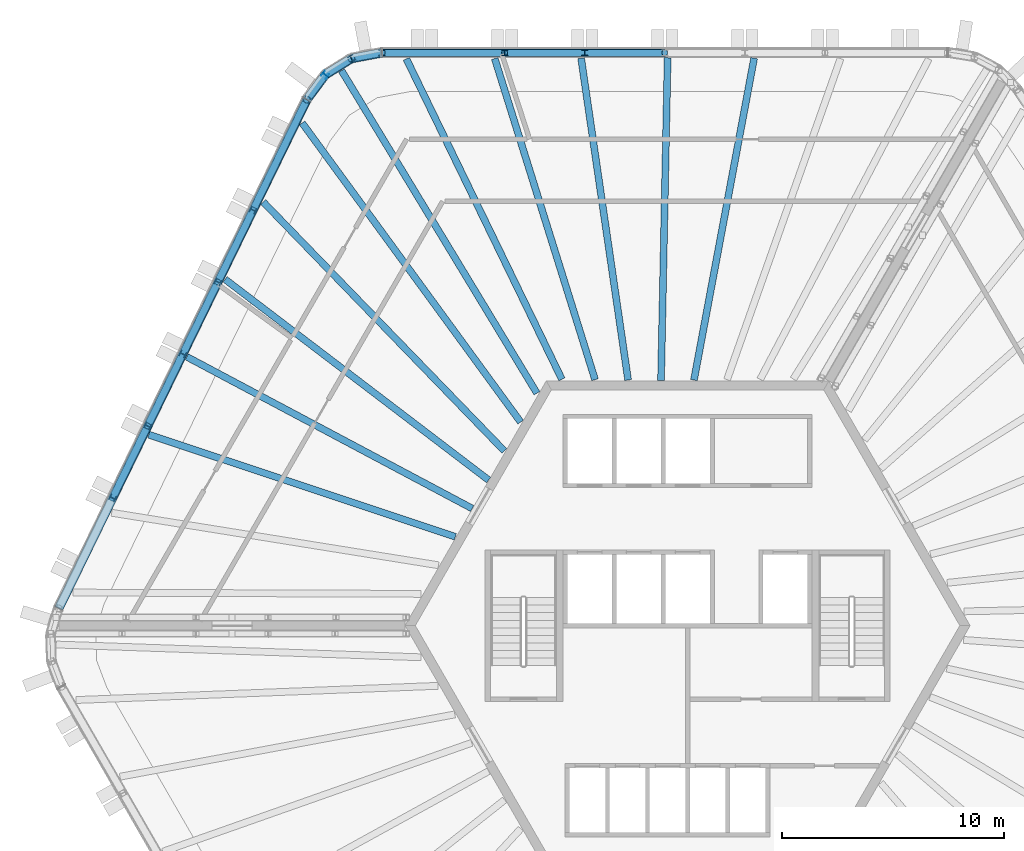
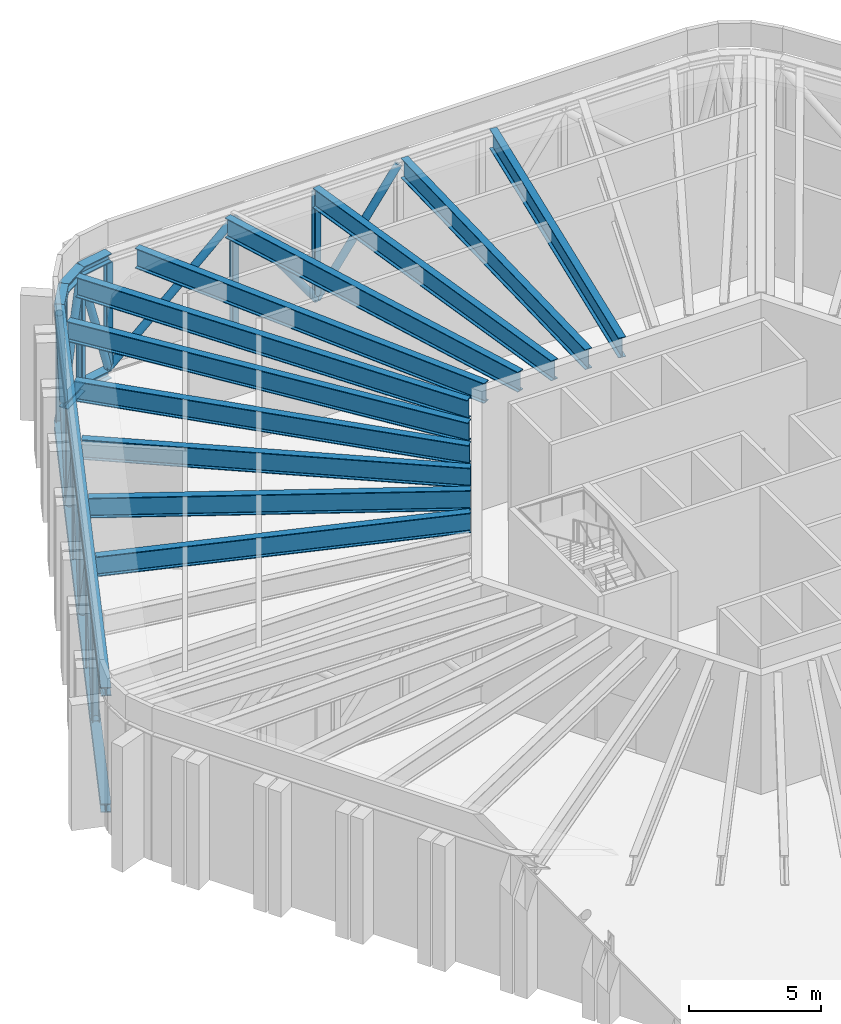
# One storey, part 6 of 19: 30 members, 11 beams.
"""IFC4 building model written with IfcOpenShell, lengths in metres."""

from ifc_helpers import new_model, si_unit, direction, frame, origin, origin_2d, place, context, subcontext, project, spatial, hollow_circle, i_section, extrude, material, material_profile, profile_set, type_object, element, save


model = new_model("IFC4")

# Units and contexts
model_context = context("Model", 3, precision=1e-05, world=origin(), true_north=direction((0.0, 1.0)))
body_context = subcontext(model_context, "Body", "Model", "MODEL_VIEW")
ifc_project = project(units=[si_unit("LENGTHUNIT", "METRE"), si_unit("AREAUNIT", "SQUARE_METRE"), si_unit("VOLUMEUNIT", "CUBIC_METRE"), si_unit("PLANEANGLEUNIT", "RADIAN"), si_unit("MASSUNIT", "GRAM", prefix="KILO")], contexts=[model_context])

# Site, building, storey
site_placement = place(None, origin())
site = spatial("IfcSite", under=ifc_project, at=site_placement, CompositionType="ELEMENT")
building_placement = place(site_placement, origin())
building = spatial("IfcBuilding", under=site, at=building_placement, Name="Tarnside Tower", CompositionType="ELEMENT")
storey_placement = place(building_placement, frame((0.0, 0.0, 343.5)))
storey = spatial("IfcBuildingStorey", under=building, at=storey_placement, Name="L83", CompositionType="ELEMENT", Elevation=343.5)

# Beams
ifc_material = material(Name="Steel S355", Category="steel")
ifc_material_profile_1 = material_profile(ifc_material, i_section(OverallWidth=0.3076171875, OverallDepth=0.926513671875, WebThickness=0.01953125, FlangeThickness=0.031982421875, FilletRadius=0.01904296875, at=origin_2d()), Name="UB 914x305x289")
ifc_profile_set_1 = profile_set([ifc_material_profile_1], Name="Steel S355")
beam_type = type_object("IfcBeamType", Name="Floor beam UB 914x305x289", PredefinedType="BEAM", material=ifc_profile_set_1)
beam_1_placement = place(storey_placement, frame((2.992431640625, 25.50927734375, 5.03662109375), z_axis=(-0.183696694797, -0.982982972549, 0.0), x_axis=(0.982982972549, -0.183696694797, 0.0)))
element("IfcBeam", 1, at=beam_1_placement, inside=storey, type_object=beam_type, Name="Floor beam F1.03", PredefinedType="BEAM", context=body_context, shape_type="SweptSolid", body=[
    extrude(i_section(OverallWidth=0.3076171875, OverallDepth=0.926513671875, WebThickness=0.01953125, FlangeThickness=0.031982421875, FilletRadius=0.01904296875, at=origin_2d()), origin(), (0.0, 0.0, 1.0), 14.720458984375),
])
beam_2_placement = place(storey_placement, frame((-0.895751953125, 25.528564453125, 5.03662109375), z_axis=(-0.020440980354, -0.999791061333, 0.0), x_axis=(0.999791061333, -0.020440980354, 0.0)))
element("IfcBeam", 2, at=beam_2_placement, inside=storey, type_object=beam_type, Name="Floor beam F1.04", PredefinedType="BEAM", context=body_context, shape_type="SweptSolid", body=[
    extrude(i_section(OverallWidth=0.3076171875, OverallDepth=0.926513671875, WebThickness=0.01953125, FlangeThickness=0.031982421875, FilletRadius=0.01904296875, at=origin_2d()), origin(), (0.0, 0.0, 1.0), 14.511474609375),
])
beam_3_placement = place(storey_placement, frame((-4.784912109375, 25.5087890625, 5.03662109375), z_axis=(0.144471056056, -0.989509026721, 0.0), x_axis=(0.989509026721, 0.144471056056, 0.0)))
element("IfcBeam", 3, at=beam_3_placement, inside=storey, type_object=beam_type, Name="Floor beam F1.05", PredefinedType="BEAM", context=body_context, shape_type="SweptSolid", body=[
    extrude(i_section(OverallWidth=0.3076171875, OverallDepth=0.926513671875, WebThickness=0.01953125, FlangeThickness=0.031982421875, FilletRadius=0.01904296875, at=origin_2d()), origin(), (0.0, 0.0, 1.0), 14.62255859375),
])
beam_4_placement = place(storey_placement, frame((-8.667724609375, 25.4912109375, 5.03662109375), z_axis=(0.298211562169, -0.954499797899, 0.0), x_axis=(0.954499797899, 0.298211562169, 0.0)))
element("IfcBeam", 4, at=beam_4_placement, inside=storey, type_object=beam_type, Name="Floor beam F1.06", PredefinedType="BEAM", context=body_context, shape_type="SweptSolid", body=[
    extrude(i_section(OverallWidth=0.3076171875, OverallDepth=0.926513671875, WebThickness=0.01953125, FlangeThickness=0.031982421875, FilletRadius=0.01904296875, at=origin_2d()), origin(), (0.0, 0.0, 1.0), 15.121826171875),
])
beam_5_placement = place(storey_placement, frame((-12.640380859375, 25.4765625, 5.03662109375), z_axis=(0.436649447023, -0.899631735998, 0.0), x_axis=(0.899631735998, 0.436649447023, 0.0)))
element("IfcBeam", 5, at=beam_5_placement, inside=storey, type_object=beam_type, Name="Floor beam F1.07", PredefinedType="BEAM", context=body_context, shape_type="SweptSolid", body=[
    extrude(i_section(OverallWidth=0.3076171875, OverallDepth=0.926513671875, WebThickness=0.01953125, FlangeThickness=0.031982421875, FilletRadius=0.01904296875, at=origin_2d()), origin(), (0.0, 0.0, 1.0), 16.01171875),
])
beam_6_placement = place(storey_placement, frame((-15.557861328125, 24.952880859375, 5.03662109375), z_axis=(0.518117614381, -0.855309381258, 0.0), x_axis=(0.855309381258, 0.518117614381, 0.0)))
element("IfcBeam", 6, at=beam_6_placement, inside=storey, type_object=beam_type, Name="Floor beam C1", PredefinedType="BEAM", context=body_context, shape_type="SweptSolid", body=[
    extrude(i_section(OverallWidth=0.3076171875, OverallDepth=0.926513671875, WebThickness=0.01953125, FlangeThickness=0.031982421875, FilletRadius=0.01904296875, at=origin_2d()), origin(), (0.0, 0.0, 1.0), 16.959228515625),
])
beam_7_placement = place(storey_placement, frame((-17.32568359375, 22.59619140625, 5.03662109375), z_axis=(0.589872111324, -0.807496682521, 0.0), x_axis=(0.807496682521, 0.589872111324, 0.0)))
element("IfcBeam", 7, at=beam_7_placement, inside=storey, type_object=beam_type, Name="Floor beam F2.01", PredefinedType="BEAM", context=body_context, shape_type="SweptSolid", body=[
    extrude(i_section(OverallWidth=0.3076171875, OverallDepth=0.926513671875, WebThickness=0.01953125, FlangeThickness=0.031982421875, FilletRadius=0.01904296875, at=origin_2d()), origin(), (0.0, 0.0, 1.0), 16.651611328125),
])
beam_8_placement = place(storey_placement, frame((-19.07470703125, 19.04248046875, 5.03662109375), z_axis=(0.69577374248, -0.718261024472, 0.0), x_axis=(0.718261024472, 0.69577374248, 0.0)))
element("IfcBeam", 8, at=beam_8_placement, inside=storey, type_object=beam_type, Name="Floor beam F2.02", PredefinedType="BEAM", context=body_context, shape_type="SweptSolid", body=[
    extrude(i_section(OverallWidth=0.3076171875, OverallDepth=0.926513671875, WebThickness=0.01953125, FlangeThickness=0.031982421875, FilletRadius=0.01904296875, at=origin_2d()), origin(), (0.0, 0.0, 1.0), 15.57958984375),
])
beam_9_placement = place(storey_placement, frame((-20.789306640625, 15.56689453125, 5.03662109375), z_axis=(0.795485169363, -0.605973056598, 0.0), x_axis=(0.605973056598, 0.795485169363, 0.0)))
element("IfcBeam", 9, at=beam_9_placement, inside=storey, type_object=beam_type, Name="Floor beam F2.03", PredefinedType="BEAM", context=body_context, shape_type="SweptSolid", body=[
    extrude(i_section(OverallWidth=0.3076171875, OverallDepth=0.926513671875, WebThickness=0.01953125, FlangeThickness=0.031982421875, FilletRadius=0.01904296875, at=origin_2d()), origin(), (0.0, 0.0, 1.0), 14.888427734375),
])
beam_10_placement = place(storey_placement, frame((-22.509765625, 12.0830078125, 5.03662109375), z_axis=(0.883015587277, -0.469343661538, 0.0), x_axis=(0.469343661538, 0.883015587277, 0.0)))
element("IfcBeam", 10, at=beam_10_placement, inside=storey, type_object=beam_type, Name="Floor beam F2.04", PredefinedType="BEAM", context=body_context, shape_type="SweptSolid", body=[
    extrude(i_section(OverallWidth=0.3076171875, OverallDepth=0.926513671875, WebThickness=0.01953125, FlangeThickness=0.031982421875, FilletRadius=0.01904296875, at=origin_2d()), origin(), (0.0, 0.0, 1.0), 14.5244140625),
])
beam_11_placement = place(storey_placement, frame((-24.217041015625, 8.583251953125, 5.03662109375), z_axis=(0.948713558919, -0.316136968928, 0.0), x_axis=(0.316136968928, 0.948713558919, 0.0)))
element("IfcBeam", 11, at=beam_11_placement, inside=storey, type_object=beam_type, Name="Floor beam F2.05", PredefinedType="BEAM", context=body_context, shape_type="SweptSolid", body=[
    extrude(i_section(OverallWidth=0.3076171875, OverallDepth=0.926513671875, WebThickness=0.01953125, FlangeThickness=0.031982421875, FilletRadius=0.01904296875, at=origin_2d()), origin(), (0.0, 0.0, 1.0), 14.52001953125),
])

# Members
ifc_material_profile_2 = material_profile(ifc_material, i_section(OverallWidth=0.39892578125, OverallDepth=0.3935546875, WebThickness=0.022705078125, FlangeThickness=0.03662109375, FilletRadius=0.01513671875, at=origin_2d()), Name="UC 356x406x287")
ifc_profile_set_2 = profile_set([ifc_material_profile_2], Name="Steel S355")
member_type_1 = type_object("IfcMemberType", Name="Truss chord UC 356x406x287", PredefinedType="CHORD", material=ifc_profile_set_2)
for number, where, z_axis, x_axis, name in (
    (12, (-13.7470703125, 25.75, -0.103271484375), (-0.98270454954, -0.185180366977, 0.0), (0.185180366977, -0.98270454954, 0.0), "Belt truss bottom chord L83 corner1.1"),
    (13, (-15.111328125, 25.492919921875, -0.103271484375), (-0.848057581592, -0.52990408406, 0.0), (0.52990408406, -0.848057581592, 0.0), "Belt truss bottom chord L83 corner1.2"),
    (14, (-16.28857421875, 24.75732421875, -0.103271484375), (-0.597210785942, -0.802084332945, 0.0), (0.802084332945, -0.597210785942, 0.0), "Belt truss bottom chord L83 corner1.3"),
):
    element("IfcMember", number, at=place(storey_placement, frame(where, z_axis=z_axis, x_axis=x_axis)), inside=storey, type_object=member_type_1, Name=name, PredefinedType="CHORD", context=body_context, shape_type="SweptSolid", body=[
        extrude(i_section(OverallWidth=0.39892578125, OverallDepth=0.3935546875, WebThickness=0.022705078125, FlangeThickness=0.03662109375, FilletRadius=0.01513671875, at=origin_2d()), origin(), (0.0, 0.0, 1.0), 1.38818359375),
    ])
member_1_placement = place(storey_placement, frame((-17.11767578125, 23.643798828125, -0.103271484375), z_axis=(-0.438368241894, -0.898795463106, 0.0), x_axis=(0.898795463106, -0.438368241894, 0.0)))
element("IfcMember", 15, at=member_1_placement, inside=storey, type_object=member_type_1, Name="Belt truss bottom chord L83 run", PredefinedType="CHORD", context=body_context, shape_type="SweptSolid", body=[
    extrude(i_section(OverallWidth=0.39892578125, OverallDepth=0.3935546875, WebThickness=0.022705078125, FlangeThickness=0.03662109375, FilletRadius=0.01513671875, at=origin_2d()), origin(), (0.0, 0.0, 1.0), 25.444580078125),
])
ifc_material_profile_3 = material_profile(ifc_material, i_section(OverallWidth=0.403076171875, OverallDepth=0.406494140625, WebThickness=0.026611328125, FlangeThickness=0.04296875, FilletRadius=0.01513671875, at=origin_2d()), Name="UC 356x406x340")
ifc_profile_set_3 = profile_set([ifc_material_profile_3], Name="Steel S355")
member_type_2 = type_object("IfcMemberType", Name="Truss chord UC 356x406x340", PredefinedType="CHORD", material=ifc_profile_set_3)
for number, where, z_axis, x_axis, name in (
    (16, (-13.7470703125, 25.75, 5.296875), (-0.98270454954, -0.185180366977, 0.0), (0.185180366977, -0.98270454954, 0.0), "Belt truss top chord L83 corner1.1"),
    (17, (-15.111328125, 25.492919921875, 5.296875), (-0.848057581592, -0.52990408406, 0.0), (0.52990408406, -0.848057581592, 0.0), "Belt truss top chord L83 corner1.2"),
    (18, (-16.28857421875, 24.75732421875, 5.296875), (-0.597210785942, -0.802084332945, 0.0), (0.802084332945, -0.597210785942, 0.0), "Belt truss top chord L83 corner1.3"),
):
    element("IfcMember", number, at=place(storey_placement, frame(where, z_axis=z_axis, x_axis=x_axis)), inside=storey, type_object=member_type_2, Name=name, PredefinedType="CHORD", context=body_context, shape_type="SweptSolid", body=[
        extrude(i_section(OverallWidth=0.403076171875, OverallDepth=0.406494140625, WebThickness=0.026611328125, FlangeThickness=0.04296875, FilletRadius=0.01513671875, at=origin_2d()), origin(), (0.0, 0.0, 1.0), 1.38818359375),
    ])
member_2_placement = place(storey_placement, frame((-17.11767578125, 23.643798828125, 5.296875), z_axis=(-0.438368241894, -0.898795463106, 0.0), x_axis=(0.898795463106, -0.438368241894, 0.0)))
element("IfcMember", 19, at=member_2_placement, inside=storey, type_object=member_type_2, Name="Belt truss top chord L83 run", PredefinedType="CHORD", context=body_context, shape_type="SweptSolid", body=[
    extrude(i_section(OverallWidth=0.403076171875, OverallDepth=0.406494140625, WebThickness=0.026611328125, FlangeThickness=0.04296875, FilletRadius=0.01513671875, at=origin_2d()), origin(), (0.0, 0.0, 1.0), 25.444580078125),
])
ifc_material_profile_4 = material_profile(ifc_material, hollow_circle(Radius=0.161865234375, WallThickness=0.012451171875, at=origin_2d()), Name="CHS 323.9x12.5")
ifc_profile_set_4 = profile_set([ifc_material_profile_4], Name="Steel S355")
member_type_3 = type_object("IfcMemberType", Name="Truss diagonal CHS 323.9x12.5", PredefinedType="BRACE", material=ifc_profile_set_4)
for number, where, z_axis, x_axis, name in (
    (20, (-1.02490234375, 25.75, 5.093505859375), (-0.584289067313, 0.0, -0.811545615365), (0.0, -1.0, 0.0), "Belt truss diagonal L83 4"),
    (21, (-4.624755859375, 25.75, 0.093505859375), (-0.584315164504, 0.0, 0.811526825515), (0.0, -1.0, 0.0), "Belt truss diagonal L83 5"),
):
    element("IfcMember", number, at=place(storey_placement, frame(where, z_axis=z_axis, x_axis=x_axis)), inside=storey, type_object=member_type_3, Name=name, PredefinedType="BRACE", context=body_context, shape_type="SweptSolid", body=[
        extrude(hollow_circle(Radius=0.161865234375, WallThickness=0.012451171875, at=origin_2d()), origin(), (0.0, 0.0, 1.0), 6.1611328125),
    ])
member_3_placement = place(storey_placement, frame((-8.224853515625, 25.75, 5.093505859375), z_axis=(-0.741288052829, 0.0, -0.671187025153), x_axis=(0.0, -1.0, 0.0)))
element("IfcMember", 22, at=member_3_placement, inside=storey, type_object=member_type_3, Name="Belt truss diagonal L83 6", PredefinedType="BRACE", context=body_context, shape_type="SweptSolid", body=[
    extrude(hollow_circle(Radius=0.161865234375, WallThickness=0.012451171875, at=origin_2d()), origin(), (0.0, 0.0, 1.0), 7.449462890625),
])
for number, where, z_axis, x_axis, name in (
    (23, (-13.7470703125, 25.75, 0.093505859375), (-0.262905777053, -0.049541836657, 0.963548731935), (0.185180366977, -0.98270454954, 0.0), "Belt truss diagonal L83 7"),
    (24, (-15.111328125, 25.492919921875, 5.093505859375), (-0.226867976291, -0.14175719879, -0.963553744181), (0.52990408406, -0.848057581592, 0.0), "Belt truss diagonal L83 8"),
    (25, (-16.28857421875, 24.75732421875, 0.093505859375), (-0.159775777833, -0.214586961924, 0.963547682572), (0.802084332945, -0.597210785942, 0.0), "Belt truss diagonal L83 9"),
):
    element("IfcMember", number, at=place(storey_placement, frame(where, z_axis=z_axis, x_axis=x_axis)), inside=storey, type_object=member_type_3, Name=name, PredefinedType="BRACE", context=body_context, shape_type="SweptSolid", body=[
        extrude(hollow_circle(Radius=0.161865234375, WallThickness=0.012451171875, at=origin_2d()), origin(), (0.0, 0.0, 1.0), 5.189208984375),
    ])
member_4_placement = place(storey_placement, frame((-17.11767578125, 23.643798828125, 5.093505859375), z_axis=(-0.324972193054, -0.66626509528, -0.671180971537), x_axis=(0.898787140025, -0.438385306467, 0.0)))
element("IfcMember", 26, at=member_4_placement, inside=storey, type_object=member_type_3, Name="Belt truss diagonal L83 10", PredefinedType="BRACE", context=body_context, shape_type="SweptSolid", body=[
    extrude(hollow_circle(Radius=0.161865234375, WallThickness=0.012451171875, at=origin_2d()), origin(), (0.0, 0.0, 1.0), 7.449462890625),
])
member_5_placement = place(storey_placement, frame((-19.53857421875, 18.680419921875, 0.093505859375), z_axis=(-0.256136687164, -0.525191158984, 0.811522177154), x_axis=(0.89880494014, -0.438348810402, 0.0)))
element("IfcMember", 27, at=member_5_placement, inside=storey, type_object=member_type_3, Name="Belt truss diagonal L83 11", PredefinedType="BRACE", context=body_context, shape_type="SweptSolid", body=[
    extrude(hollow_circle(Radius=0.161865234375, WallThickness=0.012451171875, at=origin_2d()), origin(), (0.0, 0.0, 1.0), 6.161376953125),
])
for number, where, z_axis, x_axis, name in (
    (28, (-21.11669921875, 15.444580078125, 5.093505859375), (-0.25610499084, -0.525167792605, -0.811547301935), (0.89881862852, -0.438320742181, 0.0), "Belt truss diagonal L83 12"),
    (29, (-22.694580078125, 12.208984375, 0.093505859375), (-0.256179043088, -0.525157131947, 0.811530827909), (0.898765186802, -0.438430312584, 0.0), "Belt truss diagonal L83 13"),
    (30, (-24.27294921875, 8.973388671875, 5.093505859375), (-0.256142017528, -0.525162462607, -0.811539065434), (0.898791908536, -0.438375529826, 0.0), "Belt truss diagonal L83 14"),
):
    element("IfcMember", number, at=place(storey_placement, frame(where, z_axis=z_axis, x_axis=x_axis)), inside=storey, type_object=member_type_3, Name=name, PredefinedType="BRACE", context=body_context, shape_type="SweptSolid", body=[
        extrude(hollow_circle(Radius=0.161865234375, WallThickness=0.012451171875, at=origin_2d()), origin(), (0.0, 0.0, 1.0), 6.1611328125),
    ])
ifc_material_profile_5 = material_profile(ifc_material, i_section(OverallWidth=0.26123046875, OverallDepth=0.2763671875, WebThickness=0.015380859375, FlangeThickness=0.025390625, FilletRadius=0.0126953125, at=origin_2d()), Name="UC 254x254x132")
ifc_profile_set_5 = profile_set([ifc_material_profile_5], Name="Steel S355")
member_type_4 = type_object("IfcMemberType", Name="Truss post UC 254x254x132", PredefinedType="POST", material=ifc_profile_set_5)
for number, where, z_axis, x_axis, name in (
    (31, (-4.624755859375, 25.75, 0.093505859375), (0.0, 0.0, 1.0), (-1.0, 0.0, 0.0), "Belt truss post L83 5"),
    (32, (-8.224853515625, 25.75, 0.093505859375), (0.0, 0.0, 1.0), (-1.0, 0.0, 0.0), "Belt truss post L83 6"),
    (33, (-13.7470703125, 25.75, 0.093505859375), (0.0, 0.0, 1.0), (-1.0, 0.0, 0.0), "Belt truss post L83 7"),
    (34, (-15.111328125, 25.492919921875, 0.093505859375), (0.0, 0.0, 1.0), (-0.848048096156, -0.529919264233, 0.0), "Belt truss post L83 8"),
    (35, (-16.28857421875, 24.75732421875, 0.093505859375), (0.0, 0.0, 1.0), (-0.597158591707, -0.802123192752, 0.0), "Belt truss post L83 9"),
    (36, (-17.11767578125, 23.643798828125, 0.093505859375), (0.0, 0.0, 1.0), (-0.438371146789, -0.898794046299, 0.0), "Belt truss post L83 10"),
    (37, (-19.53857421875, 18.680419921875, 0.093505859375), (0.0, 0.0, 1.0), (-0.438371146789, -0.898794046299, 0.0), "Belt truss post L83 11"),
    (38, (-21.11669921875, 15.444580078125, 0.093505859375), (0.0, 0.0, 1.0), (-0.438371146789, -0.898794046299, 0.0), "Belt truss post L83 12"),
    (39, (-22.694580078125, 12.208984375, 0.093505859375), (0.0, 0.0, 1.0), (-0.438371146789, -0.898794046299, 0.0), "Belt truss post L83 13"),
    (40, (-24.27294921875, 8.973388671875, 0.093505859375), (0.0, 0.0, 1.0), (-0.438371146789, -0.898794046299, 0.0), "Belt truss post L83 14"),
    (41, (-25.85107421875, 5.73779296875, 0.093505859375), (0.0, 0.0, 1.0), (-0.438371146789, -0.898794046299, 0.0), "Belt truss post L83 15"),
):
    element("IfcMember", number, at=place(storey_placement, frame(where, z_axis=z_axis, x_axis=x_axis)), inside=storey, type_object=member_type_4, Name=name, PredefinedType="POST", context=body_context, shape_type="SweptSolid", body=[
        extrude(i_section(OverallWidth=0.26123046875, OverallDepth=0.2763671875, WebThickness=0.015380859375, FlangeThickness=0.025390625, FilletRadius=0.0126953125, at=origin_2d()), origin(), (0.0, 0.0, 1.0), 5.0),
    ])

save(model, "model.ifc")
